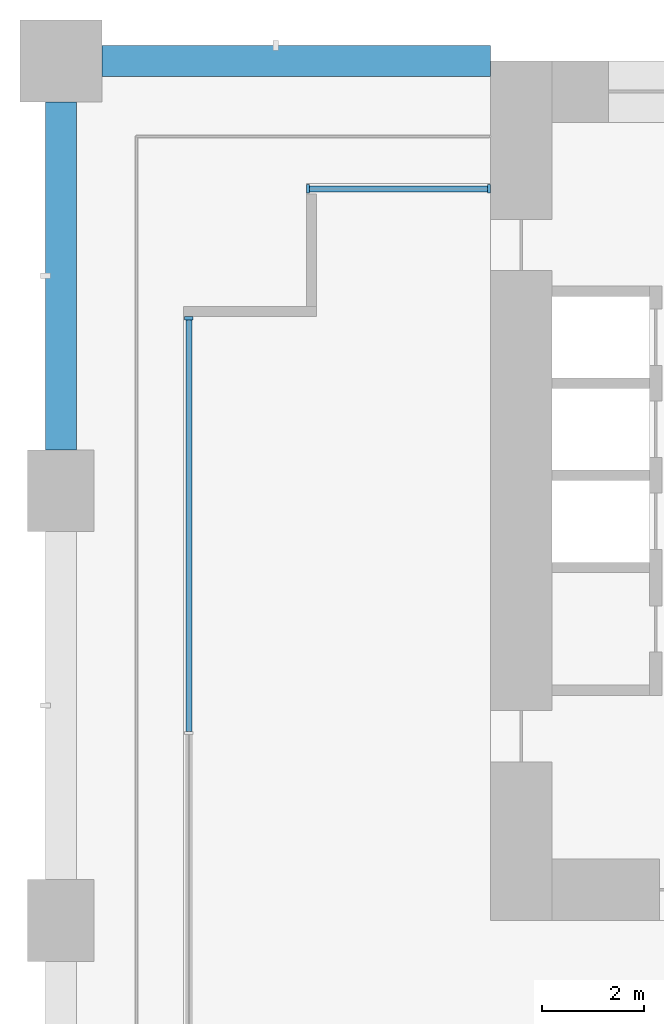
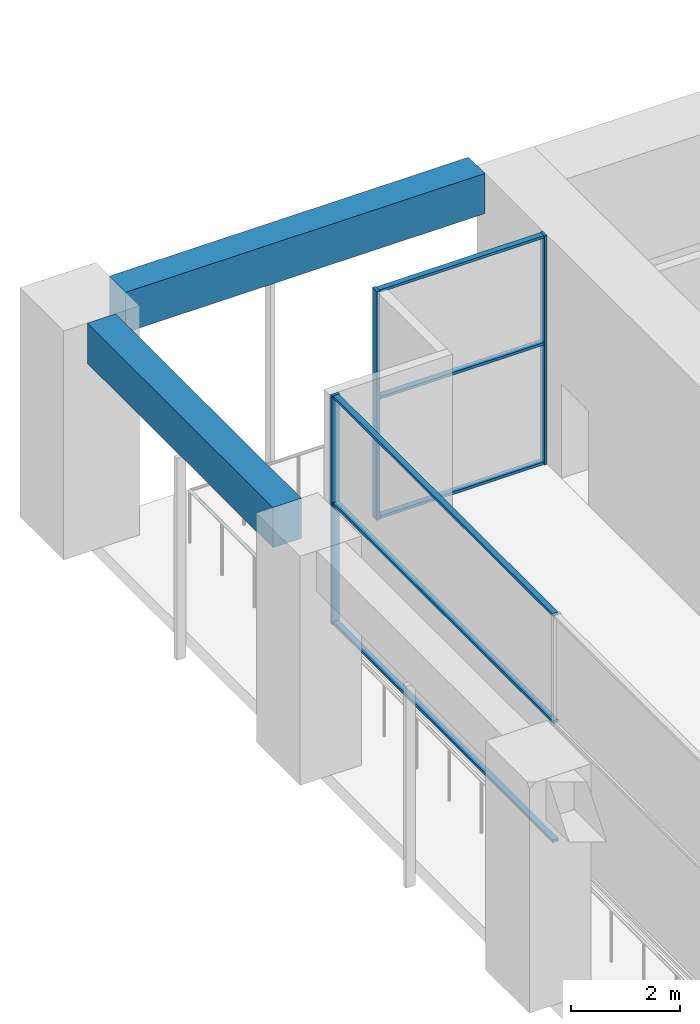
# One storey, part 10 of 32: 9 members, 2 beams, 2 elements without a shape of their own.
"""IFC4 building model written with IfcOpenShell, lengths in metres."""

from ifc_helpers import new_model, si_unit, direction, frame, origin, origin_2d, place, context, subcontext, project, spatial, rectangle, extrude, material, material_profile, profile_set, type_object, element, aggregate, save


model = new_model("IFC4")

# Units and contexts
model_context = context("Model", 3, precision=1e-05, world=origin(), true_north=direction((0.0, 1.0)))
body_context = subcontext(model_context, "Body", "Model", "MODEL_VIEW")
ifc_project = project(units=[si_unit("LENGTHUNIT", "METRE"), si_unit("AREAUNIT", "SQUARE_METRE"), si_unit("VOLUMEUNIT", "CUBIC_METRE"), si_unit("PLANEANGLEUNIT", "RADIAN"), si_unit("MASSUNIT", "GRAM", prefix="KILO")], contexts=[model_context])

# Site, building, storey
site_placement = place(None, origin())
site = spatial("IfcSite", under=ifc_project, at=site_placement, CompositionType="ELEMENT")
building_placement = place(site_placement, origin())
building = spatial("IfcBuilding", under=site, at=building_placement, Name="Vermilion Gate Residences", CompositionType="ELEMENT")
storey_placement = place(building_placement, frame((0.0, 0.0, 19.800048828125)))
storey = spatial("IfcBuildingStorey", under=building, at=storey_placement, Name="L03", CompositionType="ELEMENT", Elevation=19.800048828125)

# Curtain wall, members
ifc_material_1 = material(Name="Aluminium and glass", Category="aluminium")
curtain_wall_type = type_object("IfcCurtainWallType", Name="AMENITY GLAZING CURTAIN WALL", PredefinedType="NOTDEFINED", material=ifc_material_1)
curtain_wall_1_placement = place(storey_placement, origin())
curtain_wall_1 = element("IfcCurtainWall", 1, at=curtain_wall_1_placement, inside=storey, type_object=curtain_wall_type, Name="Amenity Glazing 0", PredefinedType="NOTDEFINED")
ifc_material_2 = material(Name="Aluminium", Category="aluminium")
ifc_material_profile_1 = material_profile(ifc_material_2, rectangle(XDim=0.159912109375, YDim=0.06005859375, at=origin_2d()), Name="MULLION 60 X 160")
ifc_profile_set_1 = profile_set([ifc_material_profile_1], Name="Aluminium")
member_type_1 = type_object("IfcMemberType", Name="AMENITY GLAZING MULLION 60 X 160", PredefinedType="MULLION", material=ifc_profile_set_1)
member_1_placement = place(storey_placement, frame((8.3701171875, 56.300048828125, 0.0), z_axis=(0.0, 0.0, 1.0), x_axis=(0.0, -1.0, 0.0)))
member_1 = element("IfcMember", 2, at=member_1_placement, type_object=member_type_1, Name="ECW2 mullion 1", PredefinedType="MULLION", context=body_context, shape_type="SweptSolid", body=[
    extrude(rectangle(XDim=0.159912109375, YDim=0.06005859375, at=origin_2d()), origin(), (0.0, 0.0, 1.0), 5.119873046875),
])
member_2_placement = place(storey_placement, frame((4.830078125, 56.300048828125, 0.0), z_axis=(0.0, 0.0, 1.0), x_axis=(0.0, -1.0, 0.0)))
member_2 = element("IfcMember", 3, at=member_2_placement, type_object=member_type_1, Name="ECW2 mullion 2", PredefinedType="MULLION", context=body_context, shape_type="SweptSolid", body=[
    extrude(rectangle(XDim=0.159912109375, YDim=0.06005859375, at=origin_2d()), origin(), (0.0, 0.0, 1.0), 5.119873046875),
])

# Curtain wall, member
curtain_wall_2_placement = place(storey_placement, origin())
curtain_wall_2 = element("IfcCurtainWall", 4, at=curtain_wall_2_placement, inside=storey, type_object=curtain_wall_type, Name="Amenity Glazing 30", PredefinedType="NOTDEFINED")
member_3_placement = place(storey_placement, frame((2.5, 53.77001953125, 0.0), z_axis=(0.0, 0.0, 1.0), x_axis=(1.0, 0.0, 0.0)))
member_3 = element("IfcMember", 5, at=member_3_placement, type_object=member_type_1, Name="ECW2 mullion 1", PredefinedType="MULLION", context=body_context, shape_type="SweptSolid", body=[
    extrude(rectangle(XDim=0.159912109375, YDim=0.06005859375, at=origin_2d()), origin(), (0.0, 0.0, 1.0), 5.119873046875),
])

# Member
ifc_material_3 = material(Name="Aluminium", Category="aluminium")
ifc_material_profile_2 = material_profile(ifc_material_3, rectangle(XDim=0.1201171875, YDim=0.06005859375, at=origin_2d()), Name="TRANSOM 60 X 120")
ifc_profile_set_2 = profile_set([ifc_material_profile_2], Name="Aluminium")
member_type_2 = type_object("IfcMemberType", Name="AMENITY GLAZING TRANSOM 60 X 120", PredefinedType="MULLION", material=ifc_profile_set_2)
member_4_placement = place(storey_placement, frame((8.340087890625, 56.300048828125, 0.030029296875), z_axis=(-1.0, 0.0, 0.0), x_axis=(0.0, -1.0, 0.0)))
member_4 = element("IfcMember", 6, at=member_4_placement, type_object=member_type_2, Name="ECW2 transom 1.1", PredefinedType="MULLION", context=body_context, shape_type="SweptSolid", body=[
    extrude(rectangle(XDim=0.1201171875, YDim=0.06005859375, at=origin_2d()), origin(), (0.0, 0.0, 1.0), 3.47998046875),
])

member_5_placement = place(storey_placement, frame((8.340087890625, 56.300048828125, 2.699951171875), z_axis=(-1.0, 0.0, 0.0), x_axis=(0.0, -1.0, 0.0)))
member_5 = element("IfcMember", 7, at=member_5_placement, type_object=member_type_2, Name="ECW2 transom 1.2", PredefinedType="MULLION", context=body_context, shape_type="SweptSolid", body=[
    extrude(rectangle(XDim=0.1201171875, YDim=0.06005859375, at=origin_2d()), origin(), (0.0, 0.0, 1.0), 3.47998046875),
])

member_6_placement = place(storey_placement, frame((8.340087890625, 56.300048828125, 5.08984375), z_axis=(-1.0, 0.0, 0.0), x_axis=(0.0, -1.0, 0.0)))
member_6 = element("IfcMember", 8, at=member_6_placement, type_object=member_type_2, Name="ECW2 transom 1.3", PredefinedType="MULLION", context=body_context, shape_type="SweptSolid", body=[
    extrude(rectangle(XDim=0.1201171875, YDim=0.06005859375, at=origin_2d()), origin(), (0.0, 0.0, 1.0), 3.47998046875),
])

aggregate(curtain_wall_1, [member_1, member_2, member_4, member_5, member_6])

member_7_placement = place(storey_placement, frame((2.5, 53.739990234375, 0.030029296875), z_axis=(0.0, -1.0, 0.0), x_axis=(1.0, 0.0, 0.0)))
member_7 = element("IfcMember", 9, at=member_7_placement, type_object=member_type_2, Name="ECW2 transom 1.1", PredefinedType="MULLION", context=body_context, shape_type="SweptSolid", body=[
    extrude(rectangle(XDim=0.1201171875, YDim=0.06005859375, at=origin_2d()), origin(), (0.0, 0.0, 1.0), 8.043212890625),
])

member_8_placement = place(storey_placement, frame((2.5, 53.739990234375, 2.699951171875), z_axis=(0.0, -1.0, 0.0), x_axis=(1.0, 0.0, 0.0)))
member_8 = element("IfcMember", 10, at=member_8_placement, type_object=member_type_2, Name="ECW2 transom 1.2", PredefinedType="MULLION", context=body_context, shape_type="SweptSolid", body=[
    extrude(rectangle(XDim=0.1201171875, YDim=0.06005859375, at=origin_2d()), origin(), (0.0, 0.0, 1.0), 8.043212890625),
])

member_9_placement = place(storey_placement, frame((2.5, 53.739990234375, 5.08984375), z_axis=(0.0, -1.0, 0.0), x_axis=(1.0, 0.0, 0.0)))
member_9 = element("IfcMember", 11, at=member_9_placement, type_object=member_type_2, Name="ECW2 transom 1.3", PredefinedType="MULLION", context=body_context, shape_type="SweptSolid", body=[
    extrude(rectangle(XDim=0.1201171875, YDim=0.06005859375, at=origin_2d()), origin(), (0.0, 0.0, 1.0), 8.043212890625),
])

aggregate(curtain_wall_2, [member_3, member_7, member_8, member_9])

# Beams
ifc_material_4 = material(Name="Concrete C60 red-oxide pigmented", Category="concrete")
ifc_material_profile_3 = material_profile(ifc_material_4, rectangle(XDim=0.60009765625, YDim=0.89990234375, at=origin_2d()), Name="RC-600x900")
ifc_profile_set_3 = profile_set([ifc_material_profile_3], Name="Concrete C60 red-oxide pigmented")
beam_type = type_object("IfcBeamType", Name="RC EDGE BEAM 600 X 900 C60", PredefinedType="BEAM", material=ifc_profile_set_3)
beam_1_placement = place(storey_placement, frame((0.800048828125, 58.800048828125, 4.669921875), z_axis=(1.0, 0.0, 0.0), x_axis=(0.0, 1.0, 0.0)))
element("IfcBeam", 12, at=beam_1_placement, inside=storey, type_object=beam_type, Name="Edge beam L03 8", PredefinedType="BEAM", context=body_context, shape_type="SweptSolid", body=[
    extrude(rectangle(XDim=0.60009765625, YDim=0.89990234375, at=origin_2d()), origin(), (0.0, 0.0, 1.0), 7.599853515625),
])
beam_2_placement = place(storey_placement, frame((0.0, 51.199951171875, 4.669921875), z_axis=(0.0, 1.0, 0.0), x_axis=(-1.0, 0.0, 0.0)))
element("IfcBeam", 13, at=beam_2_placement, inside=storey, type_object=beam_type, Name="Edge beam L03 9", PredefinedType="BEAM", context=body_context, shape_type="SweptSolid", body=[
    extrude(rectangle(XDim=0.60009765625, YDim=0.89990234375, at=origin_2d()), origin(), (0.0, 0.0, 1.0), 6.800048828125),
])

save(model, "model.ifc")
